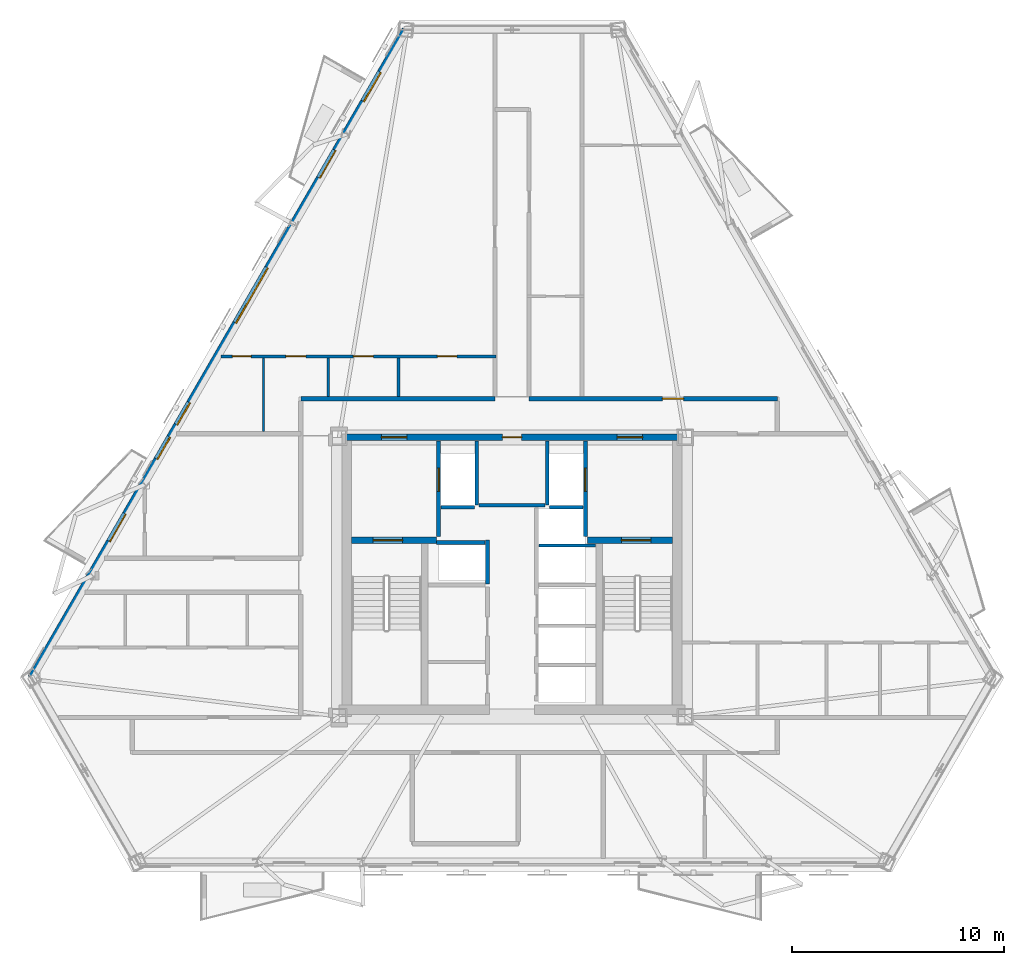
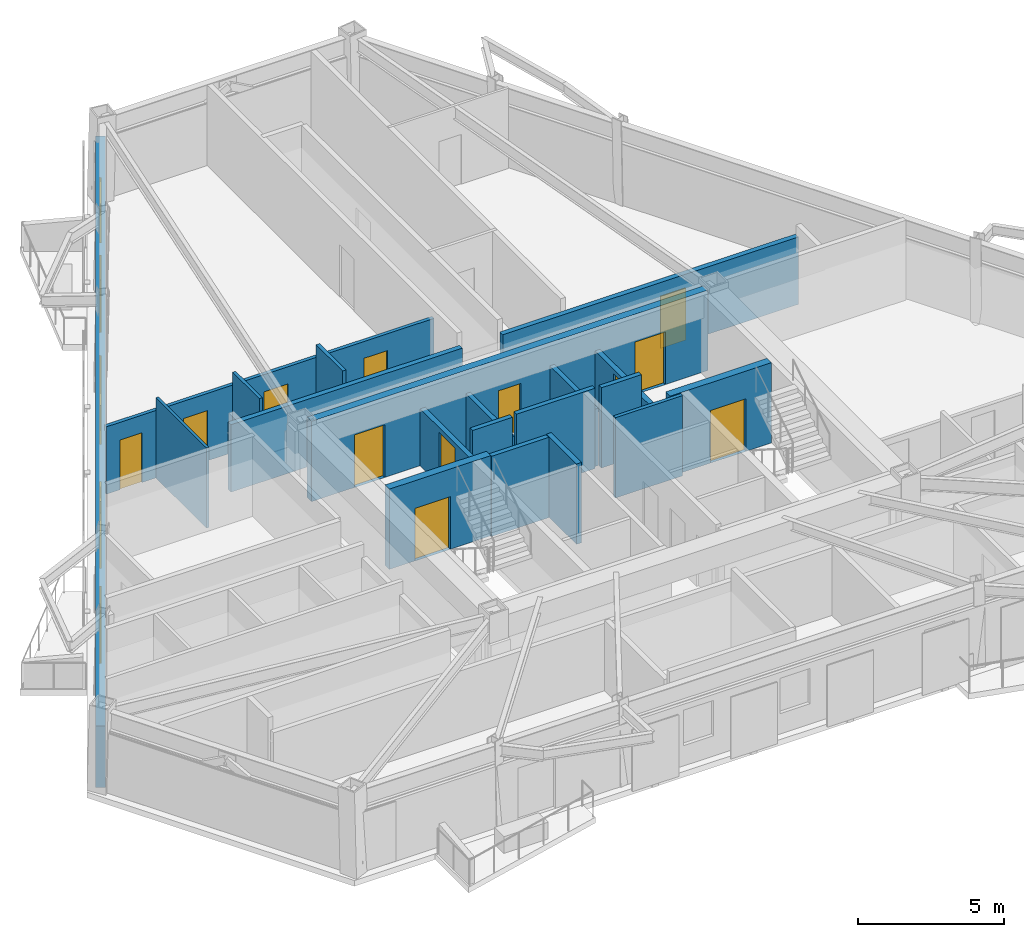
# One storey, part 4 of 9: 20 walls, 14 doors, 4 windows, 18 openings.
"""IFC4 building model written with IfcOpenShell, lengths in metres."""

from ifc_helpers import new_model, si_unit, direction, frame, frame_2d, origin, place, context, subcontext, project, spatial, rectangle, extrude, material, layer, layer_set, type_object, element, fill, save


model = new_model("IFC4")

# Units and contexts
model_context = context("Model", 3, precision=1e-05, world=origin(), true_north=direction((0.0, 1.0)))
body_context = subcontext(model_context, "Body", "Model", "MODEL_VIEW")
ifc_project = project(units=[si_unit("LENGTHUNIT", "METRE"), si_unit("AREAUNIT", "SQUARE_METRE"), si_unit("VOLUMEUNIT", "CUBIC_METRE"), si_unit("PLANEANGLEUNIT", "RADIAN"), si_unit("MASSUNIT", "GRAM", prefix="KILO")], contexts=[model_context])

# Site, building, storey
site_placement = place(None, origin())
site = spatial("IfcSite", under=ifc_project, at=site_placement, CompositionType="ELEMENT")
building_placement = place(site_placement, origin())
building = spatial("IfcBuilding", under=site, at=building_placement, Name="Oramaril Tower", CompositionType="ELEMENT")
storey_placement = place(building_placement, frame((0.0, 0.0, 138.60009765625)))
storey = spatial("IfcBuildingStorey", under=building, at=storey_placement, Name="L36", CompositionType="ELEMENT", Elevation=138.60009765625)

# Wall, openings, doors, windows
ifc_material_1 = material(Name="Warm Cream Limestone", Category="masonry")
ifc_layer_1 = layer(ifc_material_1, 0.340087890625)
ifc_layer_set_1 = layer_set([ifc_layer_1], Name="WT-EXT34")
wall_type_1 = type_object("IfcWallType", Name="WT-EXT34", PredefinedType="SOLIDWALL", material=ifc_layer_set_1)
wall_1_placement = place(storey_placement, frame((32.4775390625, 43.359619140625, 0.0), z_axis=(0.0, 0.0, 1.0), x_axis=(-0.499998325337, -0.86602637065, 0.0)))
wall_1 = element("IfcWall", 1, at=wall_1_placement, inside=storey, type_object=wall_type_1, Name="L36 Tower Limestone Facade Wall 6M", PredefinedType="SOLIDWALL", context=body_context, shape_type="SweptSolid", body=[
    extrude(rectangle(XDim=35.26416015625, YDim=0.340087890625, at=frame_2d((17.632080078125, 0.0))), origin(), (0.0, 0.0, 1.0), 2.579833984375),
])
opening_1_placement = place(wall_1_placement, frame((6.579345703125, 0.0, 0.0)))
opening_1 = element("IfcOpeningElement", 2, at=opening_1_placement, cuts=wall_1, Name="Opening D-L36-BAL-NW1", PredefinedType="OPENING", context=body_context, shape_type="SweptSolid", body=[
    extrude(rectangle(XDim=1.5, YDim=2.199951171875, at=frame_2d((0.75, 1.10009765625))), frame((0.0, 0.169921875, 0.0), z_axis=(0.0, -1.0, 0.0), x_axis=(1.0, 0.0, 0.0)), (0.0, 0.0, 1.0), 0.340087890625),
])
opening_2_placement = place(wall_1_placement, frame((26.35986328125, 0.0, 0.0)))
opening_2 = element("IfcOpeningElement", 3, at=opening_2_placement, cuts=wall_1, Name="Opening D-L36-BAL-NW2", PredefinedType="OPENING", context=body_context, shape_type="SweptSolid", body=[
    extrude(rectangle(XDim=1.5, YDim=2.199951171875, at=frame_2d((0.75, 1.10009765625))), frame((0.0, 0.169921875, 0.0), z_axis=(0.0, -1.0, 0.0), x_axis=(1.0, 0.0, 0.0)), (0.0, 0.0, 1.0), 0.340087890625),
])
opening_3_placement = place(wall_1_placement, frame((22.175048828125, 0.0, 0.85009765625)))
opening_3 = element("IfcOpeningElement", 4, at=opening_3_placement, cuts=wall_1, Name="Opening WN-09", PredefinedType="OPENING", context=body_context, shape_type="SweptSolid", body=[
    extrude(rectangle(XDim=1.199951171875, YDim=1.47998046875, at=frame_2d((0.60009765625, 0.739990234375))), frame((0.0, 0.169921875, 0.0), z_axis=(0.0, -1.0, 0.0), x_axis=(1.0, 0.0, 0.0)), (0.0, 0.0, 1.0), 0.340087890625),
])
opening_4_placement = place(wall_1_placement, frame((2.319580078125, 0.0, 0.85009765625)))
opening_4 = element("IfcOpeningElement", 5, at=opening_4_placement, cuts=wall_1, Name="Opening WN-07", PredefinedType="OPENING", context=body_context, shape_type="SweptSolid", body=[
    extrude(rectangle(XDim=1.60009765625, YDim=1.6201171875, at=frame_2d((0.800048828125, 0.81005859375))), frame((0.0, 0.169921875, 0.0), z_axis=(0.0, -1.0, 0.0), x_axis=(1.0, 0.0, 0.0)), (0.0, 0.0, 1.0), 0.340087890625),
])
opening_5_placement = place(wall_1_placement, frame((12.96728515625, 0.0, 0.85009765625)))
opening_5 = element("IfcOpeningElement", 6, at=opening_5_placement, cuts=wall_1, Name="Opening WN-10", PredefinedType="OPENING", context=body_context, shape_type="SweptSolid", body=[
    extrude(rectangle(XDim=3.0, YDim=1.6201171875, at=frame_2d((1.5, 0.81005859375))), frame((0.0, 0.169921875, 0.0), z_axis=(0.0, -1.0, 0.0), x_axis=(1.0, 0.0, 0.0)), (0.0, 0.0, 1.0), 0.340087890625),
])
opening_6_placement = place(wall_1_placement, frame((20.3037109375, 0.0, 0.85009765625)))
opening_6 = element("IfcOpeningElement", 7, at=opening_6_placement, cuts=wall_1, Name="Opening WN-09", PredefinedType="OPENING", context=body_context, shape_type="SweptSolid", body=[
    extrude(rectangle(XDim=1.199951171875, YDim=1.47998046875, at=frame_2d((0.60009765625, 0.739990234375))), frame((0.0, 0.169921875, 0.0), z_axis=(0.0, -1.0, 0.0), x_axis=(1.0, 0.0, 0.0)), (0.0, 0.0, 1.0), 0.340087890625),
])
ifc_material_2 = material(Name="Anodised Aluminium 6063-T6", Category="aluminium")
door_type_1 = type_object("IfcDoorType", Name="DT-BAL", OperationType="NOTDEFINED", PredefinedType="DOOR", material=ifc_material_2)
door_1_placement = place(opening_1_placement, origin())
door_1 = element("IfcDoor", 8, at=door_1_placement, inside=storey, type_object=door_type_1, Name="L36 Balcony Glazed Door L36-BAL-NW1", OperationType="SINGLE_SWING_LEFT", OverallHeight=2.199951171875, OverallWidth=1.5, PredefinedType="DOOR", context=body_context, shape_type="SweptSolid", body=[
    extrude(rectangle(XDim=1.5, YDim=2.199951171875, at=frame_2d((0.75, 1.10009765625))), frame((0.0, 0.02490234375, 0.0), z_axis=(0.0, -1.0, 0.0), x_axis=(1.0, 0.0, 0.0)), (0.0, 0.0, 1.0), 0.050048828125),
])
fill(opening_1, door_1)
door_2_placement = place(opening_2_placement, origin())
door_2 = element("IfcDoor", 9, at=door_2_placement, inside=storey, type_object=door_type_1, Name="L36 Balcony Glazed Door L36-BAL-NW2", OperationType="SINGLE_SWING_RIGHT", OverallHeight=2.199951171875, OverallWidth=1.5, PredefinedType="DOOR", context=body_context, shape_type="SweptSolid", body=[
    extrude(rectangle(XDim=1.5, YDim=2.199951171875, at=frame_2d((0.75, 1.10009765625))), frame((0.0, 0.02490234375, 0.0), z_axis=(0.0, -1.0, 0.0), x_axis=(1.0, 0.0, 0.0)), (0.0, 0.0, 1.0), 0.050048828125),
])
fill(opening_2, door_2)
ifc_material_3 = material(Name="Coastal Low-E Insulated Glass", Category="glass")
window_type_1 = type_object("IfcWindowType", Name="WNT-07", PartitioningType="SINGLE_PANEL", PredefinedType="WINDOW", material=ifc_material_3)
window_1_placement = place(opening_4_placement, origin())
window_1 = element("IfcWindow", 10, at=window_1_placement, inside=storey, type_object=window_type_1, Name="L36 Chicago Bay Window WN-07", OverallHeight=1.6201171875, OverallWidth=1.60009765625, PartitioningType="SINGLE_PANEL", PredefinedType="WINDOW", context=body_context, shape_type="SweptSolid", body=[
    extrude(rectangle(XDim=1.60009765625, YDim=1.6201171875, at=frame_2d((0.800048828125, 0.81005859375))), frame((0.0, 0.030029296875, 0.0), z_axis=(0.0, -1.0, 0.0), x_axis=(1.0, 0.0, 0.0)), (0.0, 0.0, 1.0), 0.06005859375),
])
fill(opening_4, window_1)
ifc_material_4 = material(Name="Coastal Low-E Insulated Glass", Category="glass")
window_type_2 = type_object("IfcWindowType", Name="WNT-09", PartitioningType="SINGLE_PANEL", PredefinedType="WINDOW", material=ifc_material_4)
window_2_placement = place(opening_3_placement, origin())
window_2 = element("IfcWindow", 11, at=window_2_placement, inside=storey, type_object=window_type_2, Name="L36 Chicago Bay Window WN-09", OverallHeight=1.47998046875, OverallWidth=1.199951171875, PartitioningType="SINGLE_PANEL", PredefinedType="WINDOW", context=body_context, shape_type="SweptSolid", body=[
    extrude(rectangle(XDim=1.199951171875, YDim=1.47998046875, at=frame_2d((0.60009765625, 0.739990234375))), frame((0.0, 0.030029296875, 0.0), z_axis=(0.0, -1.0, 0.0), x_axis=(1.0, 0.0, 0.0)), (0.0, 0.0, 1.0), 0.06005859375),
])
fill(opening_3, window_2)
window_3_placement = place(opening_6_placement, origin())
window_3 = element("IfcWindow", 12, at=window_3_placement, inside=storey, type_object=window_type_2, Name="L36 Chicago Bay Window WN-09", OverallHeight=1.47998046875, OverallWidth=1.199951171875, PartitioningType="SINGLE_PANEL", PredefinedType="WINDOW", context=body_context, shape_type="SweptSolid", body=[
    extrude(rectangle(XDim=1.199951171875, YDim=1.47998046875, at=frame_2d((0.60009765625, 0.739990234375))), frame((0.0, 0.030029296875, 0.0), z_axis=(0.0, -1.0, 0.0), x_axis=(1.0, 0.0, 0.0)), (0.0, 0.0, 1.0), 0.06005859375),
])
fill(opening_6, window_3)
ifc_material_5 = material(Name="Coastal Low-E Insulated Glass", Category="glass")
window_type_3 = type_object("IfcWindowType", Name="WNT-10", PartitioningType="SINGLE_PANEL", PredefinedType="WINDOW", material=ifc_material_5)
window_4_placement = place(opening_5_placement, origin())
window_4 = element("IfcWindow", 13, at=window_4_placement, inside=storey, type_object=window_type_3, Name="L36 Chicago Bay Window WN-10", OverallHeight=1.6201171875, OverallWidth=3.0, PartitioningType="SINGLE_PANEL", PredefinedType="WINDOW", context=body_context, shape_type="SweptSolid", body=[
    extrude(rectangle(XDim=3.0, YDim=1.6201171875, at=frame_2d((1.5, 0.81005859375))), frame((0.0, 0.030029296875, 0.0), z_axis=(0.0, -1.0, 0.0), x_axis=(1.0, 0.0, 0.0)), (0.0, 0.0, 1.0), 0.06005859375),
])
fill(opening_5, window_4)

# Walls
ifc_material_6 = material(Name="Acoustic Gypsum Board Partition")
ifc_layer_2 = layer(ifc_material_6, 0.10009765625)
ifc_layer_set_2 = layer_set([ifc_layer_2], Name="WT-PT10")
wall_type_2 = type_object("IfcWallType", Name="WT-PT10", PredefinedType="PARTITIONING", material=ifc_layer_set_2)
wall_2_placement = place(storey_placement, frame((25.7900390625, 24.424072265625, 0.0), z_axis=(0.0, 0.0, 1.0), x_axis=(0.0, 1.0, 0.0)))
element("IfcWall", 14, at=wall_2_placement, inside=storey, type_object=wall_type_2, Name="L36 Interior Partition PT-10", PredefinedType="PARTITIONING", context=body_context, shape_type="SweptSolid", body=[
    extrude(rectangle(XDim=3.471923828125, YDim=0.10009765625, at=frame_2d((1.73583984375, 0.0))), origin(), (0.0, 0.0, 1.0), 3.35986328125),
])
ifc_material_7 = material(Name="Acoustic Gypsum Board Partition")
ifc_layer_3 = layer(ifc_material_7, 0.1201171875)
ifc_layer_set_3 = layer_set([ifc_layer_3], Name="WT-PT12")
wall_type_3 = type_object("IfcWallType", Name="WT-PT12", PredefinedType="PARTITIONING", material=ifc_layer_set_3)
wall_3_placement = place(storey_placement, frame((28.840087890625, 26.073974609375, 0.0), z_axis=(0.0, 0.0, 1.0), x_axis=(0.0, 1.0, 0.0)))
element("IfcWall", 15, at=wall_3_placement, inside=storey, type_object=wall_type_3, Name="L36 Interior Partition PT-12", PredefinedType="PARTITIONING", context=body_context, shape_type="SweptSolid", body=[
    extrude(rectangle(XDim=1.822021484375, YDim=0.1201171875, at=frame_2d((0.9111328125, 0.0))), origin(), (0.0, 0.0, 1.0), 3.35986328125),
])
ifc_material_8 = material(Name="Acoustic Gypsum Board Partition")
ifc_layer_4 = layer(ifc_material_8, 0.139892578125)
ifc_layer_set_4 = layer_set([ifc_layer_4], Name="WT-PT14")
wall_type_4 = type_object("IfcWallType", Name="WT-PT14", PredefinedType="PARTITIONING", material=ifc_layer_set_4)
wall_4_placement = place(storey_placement, frame((38.780029296875, 19.050048828125, 0.0), z_axis=(0.0, 0.0, 1.0), x_axis=(1.0, 0.0, 0.0)))
element("IfcWall", 16, at=wall_4_placement, inside=storey, type_object=wall_type_4, Name="L36 East Lift Divider", PredefinedType="PARTITIONING", context=body_context, shape_type="SweptSolid", body=[
    extrude(rectangle(XDim=2.659912109375, YDim=0.139892578125, at=frame_2d((1.330078125, 0.0))), origin(), (0.0, 0.0, 1.0), 3.35986328125),
])

# Wall, openings, doors
wall_5_placement = place(storey_placement, frame((23.79345703125, 27.969970703125, 0.0), z_axis=(0.0, 0.0, 1.0), x_axis=(1.0, 0.0, 0.0)))
wall_5 = element("IfcWall", 17, at=wall_5_placement, inside=storey, type_object=wall_type_4, Name="L36 Interior Partition PT-14", PredefinedType="PARTITIONING", context=body_context, shape_type="SweptSolid", body=[
    extrude(rectangle(XDim=12.95654296875, YDim=0.139892578125, at=frame_2d((6.478271484375, 0.0))), origin(), (0.0, 0.0, 1.0), 2.822021484375),
])
opening_7_placement = place(wall_5_placement, frame((0.528564453125, 0.0, 0.0)))
opening_7 = element("IfcOpeningElement", 18, at=opening_7_placement, cuts=wall_5, Name="Opening D-L36-16", PredefinedType="OPENING", context=body_context, shape_type="SweptSolid", body=[
    extrude(rectangle(XDim=0.8798828125, YDim=2.080078125, at=frame_2d((0.43994140625, 1.0400390625))), frame((0.0, 0.06982421875, 0.0), z_axis=(0.0, -1.0, 0.0), x_axis=(1.0, 0.0, 0.0)), (0.0, 0.0, 1.0), 0.139892578125),
])
opening_8_placement = place(wall_5_placement, frame((3.044921875, 0.0, 0.0)))
opening_8 = element("IfcOpeningElement", 19, at=opening_8_placement, cuts=wall_5, Name="Opening D-L36-17", PredefinedType="OPENING", context=body_context, shape_type="SweptSolid", body=[
    extrude(rectangle(XDim=0.949951171875, YDim=2.10009765625, at=frame_2d((0.47509765625, 1.050048828125))), frame((0.0, 0.06982421875, 0.0), z_axis=(0.0, -1.0, 0.0), x_axis=(1.0, 0.0, 0.0)), (0.0, 0.0, 1.0), 0.139892578125),
])
opening_9_placement = place(wall_5_placement, frame((6.227294921875, 0.0, 0.0)))
opening_9 = element("IfcOpeningElement", 20, at=opening_9_placement, cuts=wall_5, Name="Opening D-L36-18", PredefinedType="OPENING", context=body_context, shape_type="SweptSolid", body=[
    extrude(rectangle(XDim=0.949951171875, YDim=2.10009765625, at=frame_2d((0.47509765625, 1.050048828125))), frame((0.0, 0.06982421875, 0.0), z_axis=(0.0, -1.0, 0.0), x_axis=(1.0, 0.0, 0.0)), (0.0, 0.0, 1.0), 0.139892578125),
])
opening_10_placement = place(wall_5_placement, frame((10.18798828125, 0.0, 0.0)))
opening_10 = element("IfcOpeningElement", 21, at=opening_10_placement, cuts=wall_5, Name="Opening D-L36-19", PredefinedType="OPENING", context=body_context, shape_type="SweptSolid", body=[
    extrude(rectangle(XDim=0.919921875, YDim=2.1201171875, at=frame_2d((0.4599609375, 1.06005859375))), frame((0.0, 0.06982421875, 0.0), z_axis=(0.0, -1.0, 0.0), x_axis=(1.0, 0.0, 0.0)), (0.0, 0.0, 1.0), 0.139892578125),
])
ifc_material_9 = material(Name="FSC Brazilian Freijo Hardwood", Category="wood")
door_type_2 = type_object("IfcDoorType", Name="DT-BATH", OperationType="NOTDEFINED", PredefinedType="DOOR", material=ifc_material_9)
door_3_placement = place(opening_7_placement, origin())
door_3 = element("IfcDoor", 22, at=door_3_placement, inside=storey, type_object=door_type_2, Name="L36 Flat L36-U6 Bathroom Door D-L36-16", OperationType="SINGLE_SWING_RIGHT", OverallHeight=2.080078125, OverallWidth=0.8798828125, PredefinedType="DOOR", context=body_context, shape_type="SweptSolid", body=[
    extrude(rectangle(XDim=0.8798828125, YDim=2.080078125, at=frame_2d((0.43994140625, 1.0400390625))), frame((0.0, 0.02490234375, 0.0), z_axis=(0.0, -1.0, 0.0), x_axis=(1.0, 0.0, 0.0)), (0.0, 0.0, 1.0), 0.050048828125),
])
fill(opening_7, door_3)
ifc_material_10 = material(Name="FSC Brazilian Freijo Hardwood", Category="wood")
door_type_3 = type_object("IfcDoorType", Name="DT-BED", OperationType="NOTDEFINED", PredefinedType="DOOR", material=ifc_material_10)
door_4_placement = place(opening_10_placement, origin())
door_4 = element("IfcDoor", 23, at=door_4_placement, inside=storey, type_object=door_type_3, Name="L36 Flat L36-U6 Master Bedroom Door D-L36-19", OperationType="SINGLE_SWING_LEFT", OverallHeight=2.1201171875, OverallWidth=0.919921875, PredefinedType="DOOR", context=body_context, shape_type="SweptSolid", body=[
    extrude(rectangle(XDim=0.919921875, YDim=2.1201171875, at=frame_2d((0.4599609375, 1.06005859375))), frame((0.0, 0.02490234375, 0.0), z_axis=(0.0, -1.0, 0.0), x_axis=(1.0, 0.0, 0.0)), (0.0, 0.0, 1.0), 0.050048828125),
])
fill(opening_10, door_4)
ifc_material_11 = material(Name="FSC Brazilian Freijo Hardwood", Category="wood")
door_type_4 = type_object("IfcDoorType", Name="DT-STDY", OperationType="NOTDEFINED", PredefinedType="DOOR", material=ifc_material_11)
door_5_placement = place(opening_8_placement, origin())
door_5 = element("IfcDoor", 24, at=door_5_placement, inside=storey, type_object=door_type_4, Name="L36 Flat L36-U6 Kitchen Door D-L36-17", OperationType="SINGLE_SWING_LEFT", OverallHeight=2.10009765625, OverallWidth=0.949951171875, PredefinedType="DOOR", context=body_context, shape_type="SweptSolid", body=[
    extrude(rectangle(XDim=0.949951171875, YDim=2.10009765625, at=frame_2d((0.47509765625, 1.050048828125))), frame((0.0, 0.02490234375, 0.0), z_axis=(0.0, -1.0, 0.0), x_axis=(1.0, 0.0, 0.0)), (0.0, 0.0, 1.0), 0.050048828125),
])
fill(opening_8, door_5)
door_6_placement = place(opening_9_placement, origin())
door_6 = element("IfcDoor", 25, at=door_6_placement, inside=storey, type_object=door_type_4, Name="L36 Flat L36-U6 Home Office Door D-L36-18", OperationType="SINGLE_SWING_RIGHT", OverallHeight=2.10009765625, OverallWidth=0.949951171875, PredefinedType="DOOR", context=body_context, shape_type="SweptSolid", body=[
    extrude(rectangle(XDim=0.949951171875, YDim=2.10009765625, at=frame_2d((0.47509765625, 1.050048828125))), frame((0.0, 0.02490234375, 0.0), z_axis=(0.0, -1.0, 0.0), x_axis=(1.0, 0.0, 0.0)), (0.0, 0.0, 1.0), 0.050048828125),
])
fill(opening_9, door_6)

# Walls
wall_6_placement = place(storey_placement, frame((32.14990234375, 26.073974609375, 0.0), z_axis=(0.0, 0.0, 1.0), x_axis=(0.0, 1.0, 0.0)))
element("IfcWall", 26, at=wall_6_placement, inside=storey, type_object=wall_type_4, Name="L36 Interior Partition PT-14", PredefinedType="PARTITIONING", context=body_context, shape_type="SweptSolid", body=[
    extrude(rectangle(XDim=1.822021484375, YDim=0.139892578125, at=frame_2d((0.9111328125, 0.0))), origin(), (0.0, 0.0, 1.0), 3.35986328125),
])
ifc_material_12 = material(Name="Autoclaved Cellular Concrete Block", Category="concrete")
ifc_layer_5 = layer(ifc_material_12, 0.179931640625)
ifc_layer_set_5 = layer_set([ifc_layer_5], Name="WT-PT18")
wall_type_5 = type_object("IfcWallType", Name="WT-PT18", PredefinedType="PARTITIONING", material=ifc_layer_set_5)
wall_7_placement = place(storey_placement, frame((35.840087890625, 20.9599609375, 0.0), z_axis=(0.0, 0.0, 1.0), x_axis=(0.0, 1.0, 0.0)))
element("IfcWall", 27, at=wall_7_placement, inside=storey, type_object=wall_type_5, Name="L36 FL-1 East Shaft Wall", PredefinedType="PARTITIONING", context=body_context, shape_type="SweptSolid", body=[
    extrude(rectangle(XDim=3.02001953125, YDim=0.179931640625, at=frame_2d((1.510009765625, 0.0))), origin(), (0.0, 0.0, 1.0), 2.39990234375),
])
wall_8_placement = place(storey_placement, frame((34.159912109375, 20.860107421875, 0.0), z_axis=(0.0, 0.0, 1.0), x_axis=(1.0, 0.0, 0.0)))
element("IfcWall", 28, at=wall_8_placement, inside=storey, type_object=wall_type_5, Name="L36 FL-1 South Shaft Wall", PredefinedType="PARTITIONING", context=body_context, shape_type="SweptSolid", body=[
    extrude(rectangle(XDim=1.580078125, YDim=0.179931640625, at=frame_2d((0.7900390625, 0.0))), origin(), (0.0, 0.0, 1.0), 3.35986328125),
])
wall_9_placement = place(storey_placement, frame((39.159912109375, 20.9599609375, 0.0), z_axis=(0.0, 0.0, 1.0), x_axis=(0.0, 1.0, 0.0)))
element("IfcWall", 29, at=wall_9_placement, inside=storey, type_object=wall_type_5, Name="L36 FL-2 West Shaft Wall", PredefinedType="PARTITIONING", context=body_context, shape_type="SweptSolid", body=[
    extrude(rectangle(XDim=3.02001953125, YDim=0.179931640625, at=frame_2d((1.510009765625, 0.0))), origin(), (0.0, 0.0, 1.0), 2.39990234375),
])
wall_10_placement = place(storey_placement, frame((39.260009765625, 20.860107421875, 0.0), z_axis=(0.0, 0.0, 1.0), x_axis=(1.0, 0.0, 0.0)))
element("IfcWall", 30, at=wall_10_placement, inside=storey, type_object=wall_type_5, Name="L36 FL-2 South Shaft Wall", PredefinedType="PARTITIONING", context=body_context, shape_type="SweptSolid", body=[
    extrude(rectangle(XDim=1.580078125, YDim=0.179931640625, at=frame_2d((0.7900390625, 0.0))), origin(), (0.0, 0.0, 1.0), 3.35986328125),
])
wall_11_placement = place(storey_placement, frame((33.949951171875, 19.199951171875, 0.0), z_axis=(0.0, 0.0, 1.0), x_axis=(1.0, 0.0, 0.0)))
element("IfcWall", 31, at=wall_11_placement, inside=storey, type_object=wall_type_5, Name="L36 High-Rise Lift H1 North Shaft Wall", PredefinedType="PARTITIONING", context=body_context, shape_type="SweptSolid", body=[
    extrude(rectangle(XDim=2.27001953125, YDim=0.179931640625, at=frame_2d((1.135009765625, 0.0))), origin(), (0.0, 0.0, 1.0), 3.35986328125),
])
wall_12_placement = place(storey_placement, frame((35.949951171875, 20.949951171875, 0.0), z_axis=(0.0, 0.0, 1.0), x_axis=(1.0, 0.0, 0.0)))
element("IfcWall", 32, at=wall_12_placement, inside=storey, type_object=wall_type_5, Name="L36 Lift Lobby North Partition", PredefinedType="PARTITIONING", context=body_context, shape_type="SweptSolid", body=[
    extrude(rectangle(XDim=3.10009765625, YDim=0.179931640625, at=frame_2d((1.550048828125, 0.0))), origin(), (0.0, 0.0, 1.0), 3.35986328125),
])
ifc_material_13 = material(Name="Autoclaved Cellular Concrete Block", Category="concrete")
ifc_layer_6 = layer(ifc_material_13, 0.199951171875)
ifc_layer_set_6 = layer_set([ifc_layer_6], Name="WT-PT20")
wall_type_6 = type_object("IfcWallType", Name="WT-PT20", PredefinedType="PARTITIONING", material=ifc_layer_set_6)
wall_13_placement = place(storey_placement, frame((27.550048828125, 25.969970703125, 0.0), z_axis=(0.0, 0.0, 1.0), x_axis=(1.0, 0.0, 0.0)))
element("IfcWall", 33, at=wall_13_placement, inside=storey, type_object=wall_type_6, Name="L36 Interior Partition PT-20", PredefinedType="PARTITIONING", context=body_context, shape_type="SweptSolid", body=[
    extrude(rectangle(XDim=9.14990234375, YDim=0.199951171875, at=frame_2d((4.574951171875, 0.0))), origin(), (0.0, 0.0, 1.0), 2.822021484375),
])

# Wall, opening, door
wall_14_placement = place(storey_placement, frame((38.300048828125, 25.969970703125, 0.0), z_axis=(0.0, 0.0, 1.0), x_axis=(1.0, 0.0, 0.0)))
wall_14 = element("IfcWall", 34, at=wall_14_placement, inside=storey, type_object=wall_type_6, Name="L36 Interior Partition PT-20", PredefinedType="PARTITIONING", context=body_context, shape_type="SweptSolid", body=[
    extrude(rectangle(XDim=11.699951171875, YDim=0.199951171875, at=frame_2d((5.85009765625, 0.0))), origin(), (0.0, 0.0, 1.0), 2.822021484375),
])
opening_11_placement = place(wall_14_placement, frame((6.2841796875, 0.0, 0.0)))
opening_11 = element("IfcOpeningElement", 35, at=opening_11_placement, cuts=wall_14, Name="Opening D-L36-15", PredefinedType="OPENING", context=body_context, shape_type="SweptSolid", body=[
    extrude(rectangle(XDim=1.0, YDim=2.179931640625, at=frame_2d((0.5, 1.08984375))), frame((0.0, 0.10009765625, 0.0), z_axis=(0.0, -1.0, 0.0), x_axis=(1.0, 0.0, 0.0)), (0.0, 0.0, 1.0), 0.199951171875),
])
ifc_material_14 = material(Name="FSC Brazilian Freijo Hardwood", Category="wood")
door_type_5 = type_object("IfcDoorType", Name="DT-APT", OperationType="NOTDEFINED", PredefinedType="DOOR", material=ifc_material_14)
door_7_placement = place(opening_11_placement, origin())
door_7 = element("IfcDoor", 36, at=door_7_placement, inside=storey, type_object=door_type_5, Name="L36 Flat L36-U8 Kitchen and Studio Apartment Door D-L36-15", OperationType="SINGLE_SWING_LEFT", OverallHeight=2.179931640625, OverallWidth=1.0, PredefinedType="DOOR", context=body_context, shape_type="SweptSolid", body=[
    extrude(rectangle(XDim=1.0, YDim=2.179931640625, at=frame_2d((0.5, 1.08984375))), frame((0.0, 0.02490234375, 0.0), z_axis=(0.0, -1.0, 0.0), x_axis=(1.0, 0.0, 0.0)), (0.0, 0.0, 1.0), 0.050048828125),
])
fill(opening_11, door_7)

# Wall, openings, doors
ifc_material_15 = material(Name="Concrete C50/60", Category="concrete")
ifc_layer_7 = layer(ifc_material_15, 0.300048828125)
ifc_layer_set_7 = layer_set([ifc_layer_7], Name="WT-SH30")
wall_type_7 = type_object("IfcWallType", Name="WT-SH30", PredefinedType="SHEAR", material=ifc_layer_set_7)
wall_15_placement = place(storey_placement, frame((29.64990234375, 24.14990234375, 0.0), z_axis=(0.0, 0.0, 1.0), x_axis=(1.0, 0.0, 0.0)))
wall_15 = element("IfcWall", 37, at=wall_15_placement, inside=storey, type_object=wall_type_7, Name="L36 Core Shear Wall CW-N", PredefinedType="SHEAR", context=body_context, shape_type="SweptSolid", body=[
    extrude(rectangle(XDim=15.7001953125, YDim=0.300048828125, at=frame_2d((7.85009765625, 0.0))), origin(), (0.0, 0.0, 1.0), 3.35986328125),
])
opening_12_placement = place(wall_15_placement, frame((1.699951171875, 0.0, 0.0)))
opening_12 = element("IfcOpeningElement", 38, at=opening_12_placement, cuts=wall_15, Name="Opening D-L36-FFL1", PredefinedType="OPENING", context=body_context, shape_type="SweptSolid", body=[
    extrude(rectangle(XDim=1.199951171875, YDim=2.199951171875, at=frame_2d((0.60009765625, 1.10009765625))), frame((0.0, 0.14990234375, 0.0), z_axis=(0.0, -1.0, 0.0), x_axis=(1.0, 0.0, 0.0)), (0.0, 0.0, 1.0), 0.300048828125),
])
opening_13_placement = place(wall_15_placement, frame((12.800048828125, 0.0, 0.0)))
opening_13 = element("IfcOpeningElement", 39, at=opening_13_placement, cuts=wall_15, Name="Opening D-L36-FFL2", PredefinedType="OPENING", context=body_context, shape_type="SweptSolid", body=[
    extrude(rectangle(XDim=1.199951171875, YDim=2.199951171875, at=frame_2d((0.60009765625, 1.10009765625))), frame((0.0, 0.14990234375, 0.0), z_axis=(0.0, -1.0, 0.0), x_axis=(1.0, 0.0, 0.0)), (0.0, 0.0, 1.0), 0.300048828125),
])
opening_14_placement = place(wall_15_placement, frame((7.39990234375, 0.0, 0.0)))
opening_14 = element("IfcOpeningElement", 40, at=opening_14_placement, cuts=wall_15, Name="Opening D-L36-SV1", PredefinedType="OPENING", context=body_context, shape_type="SweptSolid", body=[
    extrude(rectangle(XDim=0.89990234375, YDim=2.050048828125, at=frame_2d((0.449951171875, 1.02490234375))), frame((0.0, 0.14990234375, 0.0), z_axis=(0.0, -1.0, 0.0), x_axis=(1.0, 0.0, 0.0)), (0.0, 0.0, 1.0), 0.300048828125),
])
ifc_material_16 = material(Name="Painted Galvanised Steel", Category="steel")
door_type_6 = type_object("IfcDoorType", Name="DT-FFL", OperationType="NOTDEFINED", PredefinedType="DOOR", material=ifc_material_16)
door_8_placement = place(opening_12_placement, origin())
door_8 = element("IfcDoor", 41, at=door_8_placement, inside=storey, type_object=door_type_6, Name="L36 Firefighting Lobby 1 Fire Door", OperationType="SINGLE_SWING_LEFT", OverallHeight=2.199951171875, OverallWidth=1.199951171875, PredefinedType="DOOR", context=body_context, shape_type="SweptSolid", body=[
    extrude(rectangle(XDim=1.199951171875, YDim=2.199951171875, at=frame_2d((0.60009765625, 1.10009765625))), frame((0.0, 0.02490234375, 0.0), z_axis=(0.0, -1.0, 0.0), x_axis=(1.0, 0.0, 0.0)), (0.0, 0.0, 1.0), 0.050048828125),
])
fill(opening_12, door_8)
door_9_placement = place(opening_13_placement, origin())
door_9 = element("IfcDoor", 42, at=door_9_placement, inside=storey, type_object=door_type_6, Name="L36 Firefighting Lobby 2 Fire Door", OperationType="SINGLE_SWING_RIGHT", OverallHeight=2.199951171875, OverallWidth=1.199951171875, PredefinedType="DOOR", context=body_context, shape_type="SweptSolid", body=[
    extrude(rectangle(XDim=1.199951171875, YDim=2.199951171875, at=frame_2d((0.60009765625, 1.10009765625))), frame((0.0, 0.02490234375, 0.0), z_axis=(0.0, -1.0, 0.0), x_axis=(1.0, 0.0, 0.0)), (0.0, 0.0, 1.0), 0.050048828125),
])
fill(opening_13, door_9)
ifc_material_17 = material(Name="Painted Galvanised Steel", Category="steel")
door_type_7 = type_object("IfcDoorType", Name="DT-SVC", OperationType="NOTDEFINED", PredefinedType="DOOR", material=ifc_material_17)
door_10_placement = place(opening_14_placement, origin())
door_10 = element("IfcDoor", 43, at=door_10_placement, inside=storey, type_object=door_type_7, Name="L36 Core Janitor Store Door", OperationType="SINGLE_SWING_LEFT", OverallHeight=2.050048828125, OverallWidth=0.89990234375, PredefinedType="DOOR", context=body_context, shape_type="SweptSolid", body=[
    extrude(rectangle(XDim=0.89990234375, YDim=2.050048828125, at=frame_2d((0.449951171875, 1.02490234375))), frame((0.0, 0.02490234375, 0.0), z_axis=(0.0, -1.0, 0.0), x_axis=(1.0, 0.0, 0.0)), (0.0, 0.0, 1.0), 0.050048828125),
])
fill(opening_14, door_10)

# Wall, opening, door
wall_16_placement = place(storey_placement, frame((29.93994140625, 19.31005859375, 0.0), z_axis=(0.0, 0.0, 1.0), x_axis=(1.0, 0.0, 0.0)))
wall_16 = element("IfcWall", 44, at=wall_16_placement, inside=storey, type_object=wall_type_7, Name="L36 Core Shear Wall CW-ST1N", PredefinedType="SHEAR", context=body_context, shape_type="SweptSolid", body=[
    extrude(rectangle(XDim=4.010009765625, YDim=0.300048828125, at=frame_2d((2.0048828125, 0.0))), origin(), (0.0, 0.0, 1.0), 3.35986328125),
])
opening_15_placement = place(wall_16_placement, frame((1.010009765625, 0.0, 0.0)))
opening_15 = element("IfcOpeningElement", 45, at=opening_15_placement, cuts=wall_16, Name="Opening D-L36-ST1", PredefinedType="OPENING", context=body_context, shape_type="SweptSolid", body=[
    extrude(rectangle(XDim=1.39990234375, YDim=2.199951171875, at=frame_2d((0.699951171875, 1.10009765625))), frame((0.0, 0.14990234375, 0.0), z_axis=(0.0, -1.0, 0.0), x_axis=(1.0, 0.0, 0.0)), (0.0, 0.0, 1.0), 0.300048828125),
])
ifc_material_18 = material(Name="Painted Galvanised Steel", Category="steel")
door_type_8 = type_object("IfcDoorType", Name="DT-ST", OperationType="NOTDEFINED", PredefinedType="DOOR", material=ifc_material_18)
door_11_placement = place(opening_15_placement, origin())
door_11 = element("IfcDoor", 46, at=door_11_placement, inside=storey, type_object=door_type_8, Name="L36 Protected Stair ST-1 Fire Door", OperationType="SINGLE_SWING_LEFT", OverallHeight=2.199951171875, OverallWidth=1.39990234375, PredefinedType="DOOR", context=body_context, shape_type="SweptSolid", body=[
    extrude(rectangle(XDim=1.39990234375, YDim=2.199951171875, at=frame_2d((0.699951171875, 1.10009765625))), frame((0.0, 0.02490234375, 0.0), z_axis=(0.0, -1.0, 0.0), x_axis=(1.0, 0.0, 0.0)), (0.0, 0.0, 1.0), 0.050048828125),
])
fill(opening_15, door_11)

wall_17_placement = place(storey_placement, frame((41.050048828125, 19.31005859375, 0.0), z_axis=(0.0, 0.0, 1.0), x_axis=(1.0, 0.0, 0.0)))
wall_17 = element("IfcWall", 47, at=wall_17_placement, inside=storey, type_object=wall_type_7, Name="L36 Core Shear Wall CW-ST2N", PredefinedType="SHEAR", context=body_context, shape_type="SweptSolid", body=[
    extrude(rectangle(XDim=4.010009765625, YDim=0.300048828125, at=frame_2d((2.0048828125, 0.0))), origin(), (0.0, 0.0, 1.0), 3.35986328125),
])
opening_16_placement = place(wall_17_placement, frame((1.60009765625, 0.0, 0.0)))
opening_16 = element("IfcOpeningElement", 48, at=opening_16_placement, cuts=wall_17, Name="Opening D-L36-ST2", PredefinedType="OPENING", context=body_context, shape_type="SweptSolid", body=[
    extrude(rectangle(XDim=1.39990234375, YDim=2.199951171875, at=frame_2d((0.699951171875, 1.10009765625))), frame((0.0, 0.14990234375, 0.0), z_axis=(0.0, -1.0, 0.0), x_axis=(1.0, 0.0, 0.0)), (0.0, 0.0, 1.0), 0.300048828125),
])
door_12_placement = place(opening_16_placement, origin())
door_12 = element("IfcDoor", 49, at=door_12_placement, inside=storey, type_object=door_type_8, Name="L36 Protected Stair ST-2 Fire Door", OperationType="SINGLE_SWING_RIGHT", OverallHeight=2.199951171875, OverallWidth=1.39990234375, PredefinedType="DOOR", context=body_context, shape_type="SweptSolid", body=[
    extrude(rectangle(XDim=1.39990234375, YDim=2.199951171875, at=frame_2d((0.699951171875, 1.10009765625))), frame((0.0, 0.02490234375, 0.0), z_axis=(0.0, -1.0, 0.0), x_axis=(1.0, 0.0, 0.0)), (0.0, 0.0, 1.0), 0.050048828125),
])
fill(opening_16, door_12)

ifc_material_19 = material(Name="Autoclaved Cellular Concrete Block", Category="concrete")
ifc_layer_8 = layer(ifc_material_19, 0.199951171875)
ifc_layer_set_8 = layer_set([ifc_layer_8], Name="WT-SHF20")
wall_type_8 = type_object("IfcWallType", Name="WT-SHF20", PredefinedType="PARTITIONING", material=ifc_layer_set_8)
wall_18_placement = place(storey_placement, frame((34.0400390625, 19.47998046875, 0.0), z_axis=(0.0, 0.0, 1.0), x_axis=(0.0, 1.0, 0.0)))
wall_18 = element("IfcWall", 50, at=wall_18_placement, inside=storey, type_object=wall_type_8, Name="L36 FL-1 Lobby Shaft Wall", PredefinedType="PARTITIONING", context=body_context, shape_type="SweptSolid", body=[
    extrude(rectangle(XDim=4.5, YDim=0.199951171875, at=frame_2d((2.25, 0.0))), origin(), (0.0, 0.0, 1.0), 2.39990234375),
])
opening_17_placement = place(wall_18_placement, frame((2.1201171875, 0.0, 0.0)))
opening_17 = element("IfcOpeningElement", 51, at=opening_17_placement, cuts=wall_18, Name="Opening LD-L36-FL-1", PredefinedType="OPENING", context=body_context, shape_type="SweptSolid", body=[
    extrude(rectangle(XDim=1.10009765625, YDim=2.199951171875, at=frame_2d((0.550048828125, 1.10009765625))), frame((0.0, 0.10009765625, 0.0), z_axis=(0.0, -1.0, 0.0), x_axis=(1.0, 0.0, 0.0)), (0.0, 0.0, 1.0), 0.199951171875),
])
ifc_material_20 = material(Name="Stainless Steel 316L", Category="steel")
door_type_9 = type_object("IfcDoorType", Name="DT-LD1", OperationType="NOTDEFINED", PredefinedType="DOOR", material=ifc_material_20)
door_13_placement = place(opening_17_placement, origin())
door_13 = element("IfcDoor", 52, at=door_13_placement, inside=storey, type_object=door_type_9, Name="L36 Lift FL-1 Sliding Landing Door", OperationType="SLIDING_TO_LEFT", OverallHeight=2.199951171875, OverallWidth=1.10009765625, PredefinedType="DOOR", context=body_context, shape_type="SweptSolid", body=[
    extrude(rectangle(XDim=1.10009765625, YDim=2.199951171875, at=frame_2d((0.550048828125, 1.10009765625))), frame((0.0, 0.02490234375, 0.0), z_axis=(0.0, -1.0, 0.0), x_axis=(1.0, 0.0, 0.0)), (0.0, 0.0, 1.0), 0.050048828125),
])
fill(opening_17, door_13)

wall_19_placement = place(storey_placement, frame((40.9599609375, 19.47998046875, 0.0), z_axis=(0.0, 0.0, 1.0), x_axis=(0.0, 1.0, 0.0)))
wall_19 = element("IfcWall", 53, at=wall_19_placement, inside=storey, type_object=wall_type_8, Name="L36 FL-2 Lobby Shaft Wall", PredefinedType="PARTITIONING", context=body_context, shape_type="SweptSolid", body=[
    extrude(rectangle(XDim=4.5, YDim=0.199951171875, at=frame_2d((2.25, 0.0))), origin(), (0.0, 0.0, 1.0), 2.39990234375),
])
opening_18_placement = place(wall_19_placement, frame((2.1201171875, 0.0, 0.0)))
opening_18 = element("IfcOpeningElement", 54, at=opening_18_placement, cuts=wall_19, Name="Opening LD-L36-FL-2", PredefinedType="OPENING", context=body_context, shape_type="SweptSolid", body=[
    extrude(rectangle(XDim=1.10009765625, YDim=2.199951171875, at=frame_2d((0.550048828125, 1.10009765625))), frame((0.0, 0.10009765625, 0.0), z_axis=(0.0, -1.0, 0.0), x_axis=(1.0, 0.0, 0.0)), (0.0, 0.0, 1.0), 0.199951171875),
])
door_14_placement = place(opening_18_placement, origin())
door_14 = element("IfcDoor", 55, at=door_14_placement, inside=storey, type_object=door_type_9, Name="L36 Lift FL-2 Sliding Landing Door", OperationType="SLIDING_TO_RIGHT", OverallHeight=2.199951171875, OverallWidth=1.10009765625, PredefinedType="DOOR", context=body_context, shape_type="SweptSolid", body=[
    extrude(rectangle(XDim=1.10009765625, YDim=2.199951171875, at=frame_2d((0.550048828125, 1.10009765625))), frame((0.0, 0.02490234375, 0.0), z_axis=(0.0, -1.0, 0.0), x_axis=(1.0, 0.0, 0.0)), (0.0, 0.0, 1.0), 0.050048828125),
])
fill(opening_18, door_14)

# Wall
wall_20_placement = place(storey_placement, frame((36.340087890625, 17.25, 0.0), z_axis=(0.0, 0.0, 1.0), x_axis=(0.0, 1.0, 0.0)))
element("IfcWall", 56, at=wall_20_placement, inside=storey, type_object=wall_type_8, Name="L36 High-Rise Lift H1 Front Wall", PredefinedType="PARTITIONING", context=body_context, shape_type="SweptSolid", body=[
    extrude(rectangle(XDim=2.070068359375, YDim=0.199951171875, at=frame_2d((1.03515625, 0.0))), origin(), (0.0, 0.0, 1.0), 3.35986328125),
])

save(model, "model.ifc")
